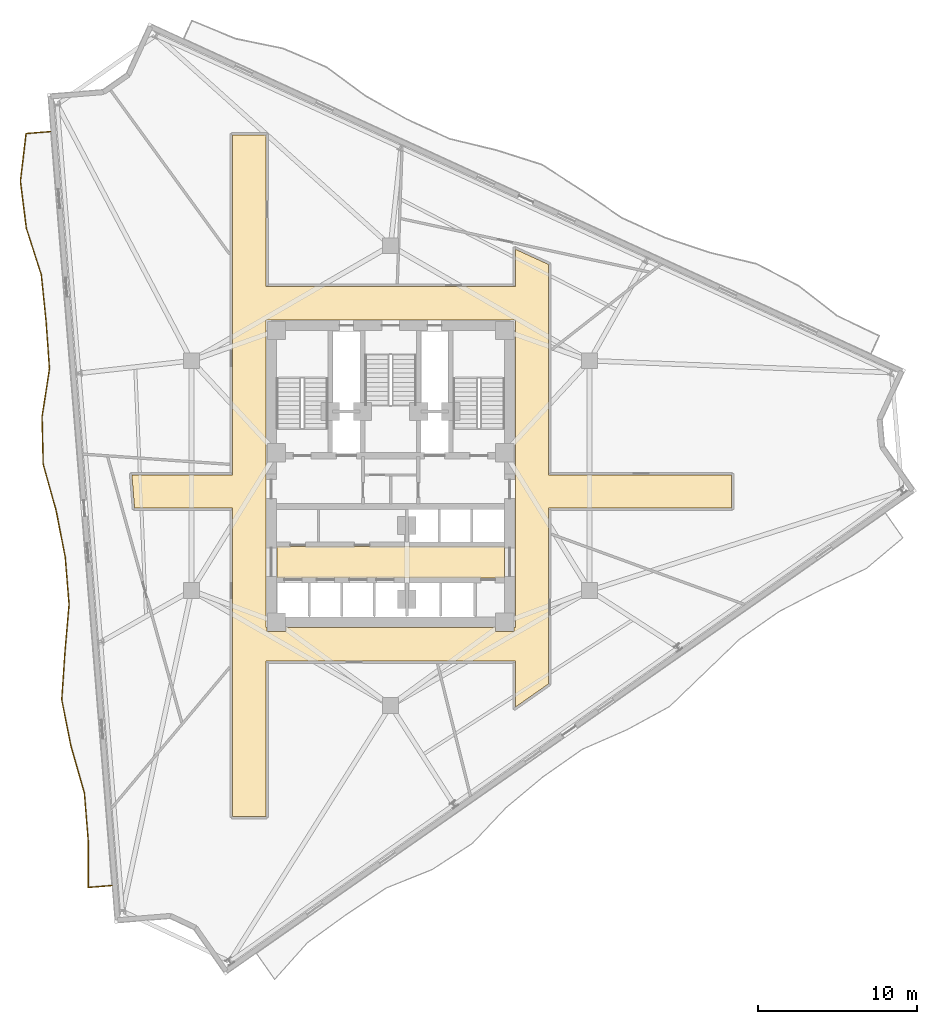
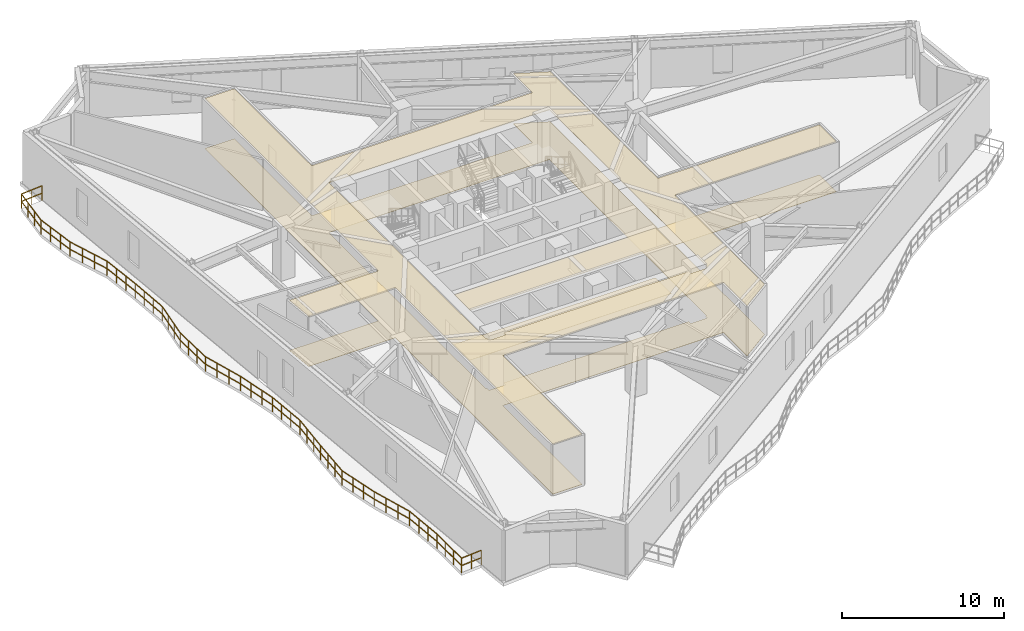
# One storey, part 8 of 11: 4 coverings, 1 railing.
"""IFC4 building model written with IfcOpenShell, lengths in metres."""

from ifc_helpers import new_model, si_unit, direction, frame, origin, origin_2d, place, context, subcontext, project, spatial, polyline, rectangle, outline, extrude, material, layer, layer_set, type_object, element, save


model = new_model("IFC4")

# Units and contexts
model_context = context("Model", 3, precision=1e-05, world=origin(), true_north=direction((0.0, 1.0)))
body_context = subcontext(model_context, "Body", "Model", "MODEL_VIEW")
ifc_project = project(units=[si_unit("LENGTHUNIT", "METRE"), si_unit("AREAUNIT", "SQUARE_METRE"), si_unit("VOLUMEUNIT", "CUBIC_METRE"), si_unit("PLANEANGLEUNIT", "RADIAN"), si_unit("MASSUNIT", "GRAM", prefix="KILO")], contexts=[model_context])

# Site, building, storey
site_placement = place(None, origin())
site = spatial("IfcSite", under=ifc_project, at=site_placement, CompositionType="ELEMENT")
building_placement = place(site_placement, origin())
building = spatial("IfcBuilding", under=site, at=building_placement, Name="Apsidion Concourse Tower", CompositionType="ELEMENT")
storey_placement = place(building_placement, frame((0.0, 0.0, 206.5)))
storey = spatial("IfcBuildingStorey", under=building, at=storey_placement, Name="L48", CompositionType="ELEMENT", Elevation=206.5)

# Coverings
ifc_material_1 = material(Name="Acoustic mineral fibre ceiling")
ifc_layer_1 = layer(ifc_material_1, 0.0400390625)
ifc_layer_set_1 = layer_set([ifc_layer_1], Name="Acoustic mineral fibre ceiling")
covering_type_1 = type_object("IfcCoveringType", Name="COV-CEIL-40", PredefinedType="CEILING", material=ifc_layer_set_1)
covering_1_placement = place(storey_placement, frame((0.0, 0.0, 3.75)))
element("IfcCovering", 1, at=covering_1_placement, inside=storey, type_object=covering_type_1, Name="L48 Acoustic Ceiling Grid 1", PredefinedType="CEILING", context=body_context, shape_type="SweptSolid", body=[
    extrude(outline(polyline([(-7.179931640625, -6.449951171875), (-7.179931640625, -4.47998046875), (7.179931640625, -4.47998046875), (7.179931640625, -6.449951171875), (-7.179931640625, -6.449951171875)])), origin(), (0.0, 0.0, 1.0), 0.0400390625),
])
covering_2_placement = place(storey_placement, frame((0.0, 0.0, 3.75)))
element("IfcCovering", 2, at=covering_2_placement, inside=storey, type_object=covering_type_1, Name="L48 Acoustic Ceiling Grid 2", PredefinedType="CEILING", context=body_context, shape_type="SweptSolid", body=[
    extrude(outline(polyline([(9.969970703125, -13.1357421875), (7.8701171875, -14.606201171875), (7.8701171875, -11.695068359375), (-7.8701171875, -11.695068359375), (-7.8701171875, -21.5), (-9.969970703125, -21.5), (-9.969970703125, -11.695068359375), (-9.969970703125, -2.050048828125), (-16.150634765625, -2.050048828125), (-16.3212890625, 0.050048828125), (-9.969970703125, 0.050048828125), (-9.969970703125, 11.919921875), (-9.969970703125, 21.5), (-7.8701171875, 21.5), (-7.8701171875, 11.919921875), (7.8701171875, 11.919921875), (7.8701171875, 14.282958984375), (9.969970703125, 13.319580078125), (9.969970703125, 11.919921875), (9.969970703125, 0.050048828125), (21.5, 0.050048828125), (21.5, -2.050048828125), (9.969970703125, -2.050048828125), (9.969970703125, -11.695068359375), (9.969970703125, -13.1357421875)]), holes=[polyline([(7.8701171875, -2.050048828125), (7.8701171875, 0.050048828125), (7.8701171875, 9.820068359375), (-7.8701171875, 9.820068359375), (-7.8701171875, 0.050048828125), (-7.8701171875, -2.050048828125), (-7.8701171875, -9.594970703125), (-7.794921875, -9.594970703125), (-7.794921875, -9.824951171875), (-7.794921875, -9.826904296875), (-7.794677734375, -9.828857421875), (-7.794189453125, -9.830810546875), (-7.79345703125, -9.832763671875), (-7.79248046875, -9.83447265625), (-7.79150390625, -9.836181640625), (-7.79052734375, -9.837646484375), (-7.7890625, -9.839111328125), (-7.78759765625, -9.840576171875), (-7.7861328125, -9.841552734375), (-7.784423828125, -9.842529296875), (-7.78271484375, -9.843505859375), (-7.78076171875, -9.843994140625), (-7.77880859375, -9.844482421875), (-7.777099609375, -9.844970703125), (-7.77490234375, -9.844970703125), (-6.625, -9.844970703125), (-6.623046875, -9.844970703125), (-6.62109375, -9.844482421875), (-6.619140625, -9.843994140625), (-6.6171875, -9.843505859375), (-6.615478515625, -9.842529296875), (-6.614013671875, -9.841552734375), (-6.6123046875, -9.840576171875), (-6.61083984375, -9.839111328125), (-6.609619140625, -9.837646484375), (-6.6083984375, -9.836181640625), (-6.607421875, -9.83447265625), (-6.6064453125, -9.832763671875), (-6.60595703125, -9.830810546875), (-6.60546875, -9.828857421875), (-6.60498046875, -9.826904296875), (-6.60498046875, -9.824951171875), (-6.60498046875, -9.594970703125), (6.60498046875, -9.594970703125), (6.60498046875, -9.824951171875), (6.60498046875, -9.826904296875), (6.60546875, -9.828857421875), (6.60595703125, -9.830810546875), (6.6064453125, -9.832763671875), (6.607421875, -9.83447265625), (6.6083984375, -9.836181640625), (6.609619140625, -9.837646484375), (6.61083984375, -9.839111328125), (6.6123046875, -9.840576171875), (6.614013671875, -9.841552734375), (6.615478515625, -9.842529296875), (6.6171875, -9.843505859375), (6.619140625, -9.843994140625), (6.62109375, -9.844482421875), (6.623046875, -9.844970703125), (6.625, -9.844970703125), (7.77490234375, -9.844970703125), (7.777099609375, -9.844970703125), (7.77880859375, -9.844482421875), (7.78076171875, -9.843994140625), (7.78271484375, -9.843505859375), (7.784423828125, -9.842529296875), (7.7861328125, -9.841552734375), (7.78759765625, -9.840576171875), (7.7890625, -9.839111328125), (7.79052734375, -9.837646484375), (7.79150390625, -9.836181640625), (7.79248046875, -9.83447265625), (7.79345703125, -9.832763671875), (7.794189453125, -9.830810546875), (7.794677734375, -9.828857421875), (7.794921875, -9.826904296875), (7.794921875, -9.824951171875), (7.794921875, -9.594970703125), (7.8701171875, -9.594970703125), (7.8701171875, -2.050048828125)])]), origin(), (0.0, 0.0, 1.0), 0.0400390625),
])
ifc_material_2 = material(Name="Honed travertine floor finish", Category="masonry")
ifc_layer_2 = layer(ifc_material_2, 0.02001953125)
ifc_layer_set_2 = layer_set([ifc_layer_2], Name="Honed travertine floor finish")
covering_type_2 = type_object("IfcCoveringType", Name="COV-FLOR-20", PredefinedType="FLOORING", material=ifc_layer_set_2)
covering_3_placement = place(storey_placement, origin())
element("IfcCovering", 3, at=covering_3_placement, inside=storey, type_object=covering_type_2, Name="L48 Honed Travertine Floor Finish 1", PredefinedType="FLOORING", context=body_context, shape_type="SweptSolid", body=[
    extrude(outline(polyline([(-7.179931640625, -6.449951171875), (-7.179931640625, -4.47998046875), (7.179931640625, -4.47998046875), (7.179931640625, -6.449951171875), (-7.179931640625, -6.449951171875)])), origin(), (0.0, 0.0, 1.0), 0.02001953125),
])
covering_4_placement = place(storey_placement, origin())
element("IfcCovering", 4, at=covering_4_placement, inside=storey, type_object=covering_type_2, Name="L48 Honed Travertine Floor Finish 2", PredefinedType="FLOORING", context=body_context, shape_type="SweptSolid", body=[
    extrude(outline(polyline([(9.969970703125, -13.1357421875), (7.8701171875, -14.606201171875), (7.8701171875, -11.695068359375), (-7.8701171875, -11.695068359375), (-7.8701171875, -21.5), (-9.969970703125, -21.5), (-9.969970703125, -11.695068359375), (-9.969970703125, -2.050048828125), (-16.150634765625, -2.050048828125), (-16.3212890625, 0.050048828125), (-9.969970703125, 0.050048828125), (-9.969970703125, 11.919921875), (-9.969970703125, 21.5), (-7.8701171875, 21.5), (-7.8701171875, 11.919921875), (7.8701171875, 11.919921875), (7.8701171875, 14.282958984375), (9.969970703125, 13.319580078125), (9.969970703125, 11.919921875), (9.969970703125, 0.050048828125), (21.5, 0.050048828125), (21.5, -2.050048828125), (9.969970703125, -2.050048828125), (9.969970703125, -11.695068359375), (9.969970703125, -13.1357421875)]), holes=[polyline([(7.8701171875, -2.050048828125), (7.8701171875, 0.050048828125), (7.8701171875, 9.820068359375), (-7.8701171875, 9.820068359375), (-7.8701171875, 0.050048828125), (-7.8701171875, -2.050048828125), (-7.8701171875, -9.594970703125), (-7.794921875, -9.594970703125), (-7.794921875, -9.824951171875), (-7.794921875, -9.826904296875), (-7.794677734375, -9.828857421875), (-7.794189453125, -9.830810546875), (-7.79345703125, -9.832763671875), (-7.79248046875, -9.83447265625), (-7.79150390625, -9.836181640625), (-7.79052734375, -9.837646484375), (-7.7890625, -9.839111328125), (-7.78759765625, -9.840576171875), (-7.7861328125, -9.841552734375), (-7.784423828125, -9.842529296875), (-7.78271484375, -9.843505859375), (-7.78076171875, -9.843994140625), (-7.77880859375, -9.844482421875), (-7.777099609375, -9.844970703125), (-7.77490234375, -9.844970703125), (-6.625, -9.844970703125), (-6.623046875, -9.844970703125), (-6.62109375, -9.844482421875), (-6.619140625, -9.843994140625), (-6.6171875, -9.843505859375), (-6.615478515625, -9.842529296875), (-6.614013671875, -9.841552734375), (-6.6123046875, -9.840576171875), (-6.61083984375, -9.839111328125), (-6.609619140625, -9.837646484375), (-6.6083984375, -9.836181640625), (-6.607421875, -9.83447265625), (-6.6064453125, -9.832763671875), (-6.60595703125, -9.830810546875), (-6.60546875, -9.828857421875), (-6.60498046875, -9.826904296875), (-6.60498046875, -9.824951171875), (-6.60498046875, -9.594970703125), (6.60498046875, -9.594970703125), (6.60498046875, -9.824951171875), (6.60498046875, -9.826904296875), (6.60546875, -9.828857421875), (6.60595703125, -9.830810546875), (6.6064453125, -9.832763671875), (6.607421875, -9.83447265625), (6.6083984375, -9.836181640625), (6.609619140625, -9.837646484375), (6.61083984375, -9.839111328125), (6.6123046875, -9.840576171875), (6.614013671875, -9.841552734375), (6.615478515625, -9.842529296875), (6.6171875, -9.843505859375), (6.619140625, -9.843994140625), (6.62109375, -9.844482421875), (6.623046875, -9.844970703125), (6.625, -9.844970703125), (7.77490234375, -9.844970703125), (7.777099609375, -9.844970703125), (7.77880859375, -9.844482421875), (7.78076171875, -9.843994140625), (7.78271484375, -9.843505859375), (7.784423828125, -9.842529296875), (7.7861328125, -9.841552734375), (7.78759765625, -9.840576171875), (7.7890625, -9.839111328125), (7.79052734375, -9.837646484375), (7.79150390625, -9.836181640625), (7.79248046875, -9.83447265625), (7.79345703125, -9.832763671875), (7.794189453125, -9.830810546875), (7.794677734375, -9.828857421875), (7.794921875, -9.826904296875), (7.794921875, -9.824951171875), (7.794921875, -9.594970703125), (7.8701171875, -9.594970703125), (7.8701171875, -2.050048828125)])]), origin(), (0.0, 0.0, 1.0), 0.02001953125),
])

# Railing
ifc_material_3 = material(Name="Brushed stainless steel 316", Category="steel")
railing_type = type_object("IfcRailingType", Name="RL-BAL-1120", PredefinedType="BALUSTRADE", material=ifc_material_3)
railing_placement = place(storey_placement, frame((-17.59326171875, -25.86328125, 0.0)))
element("IfcRailing", 5, at=railing_placement, inside=storey, type_object=railing_type, Name="L48 Face 1 Rippling Balcony Balustrade", PredefinedType="BALUSTRADE", context=body_context, shape_type="SweptSolid", body=[
    extrude(rectangle(XDim=0.048095703125, YDim=0.048095703125, at=origin_2d()), frame((0.0, 0.0, 1.09619140625), z_axis=(-0.996717551279, -0.080957538077, 0.0), x_axis=(0.080957538077, -0.996717551279, 0.0)), (0.0, 0.0, 1.0), 1.480712890625),
    extrude(rectangle(XDim=0.048095703125, YDim=0.048095703125, at=origin_2d()), frame((0.0, 0.0, 0.5361328125), z_axis=(-0.996717551279, -0.080957538077, 0.0), x_axis=(0.080957538077, -0.996717551279, 0.0)), (0.0, 0.0, 1.0), 1.480712890625),
    extrude(rectangle(XDim=0.048095703125, YDim=0.048095703125, at=origin_2d()), frame((-1.475830078125, -0.119873046875, 1.09619140625), z_axis=(-0.003835141114, 0.999992645819, 0.0), x_axis=(-0.999992645819, -0.003835141114, 0.0)), (0.0, 0.0, 1.0), 2.991943359375),
    extrude(rectangle(XDim=0.048095703125, YDim=0.048095703125, at=origin_2d()), frame((-1.475830078125, -0.119873046875, 0.5361328125), z_axis=(-0.003835141114, 0.999992645819, 0.0), x_axis=(-0.999992645819, -0.003835141114, 0.0)), (0.0, 0.0, 1.0), 2.991943359375),
    extrude(rectangle(XDim=0.048095703125, YDim=0.048095703125, at=origin_2d()), frame((-1.4873046875, 2.8720703125, 1.09619140625), z_axis=(-0.080945526608, 0.996718526828, 0.0), x_axis=(-0.996718526828, -0.080945526608, 0.0)), (0.0, 0.0, 1.0), 2.98291015625),
    extrude(rectangle(XDim=0.048095703125, YDim=0.048095703125, at=origin_2d()), frame((-1.4873046875, 2.8720703125, 0.5361328125), z_axis=(-0.080945526608, 0.996718526828, 0.0), x_axis=(-0.996718526828, -0.080945526608, 0.0)), (0.0, 0.0, 1.0), 2.98291015625),
    extrude(rectangle(XDim=0.048095703125, YDim=0.048095703125, at=origin_2d()), frame((-1.728759765625, 5.84521484375, 1.09619140625), z_axis=(-0.275865490272, 0.961196250137, 0.0), x_axis=(-0.961196250137, -0.275865490272, 0.0)), (0.0, 0.0, 1.0), 3.042724609375),
    extrude(rectangle(XDim=0.048095703125, YDim=0.048095703125, at=origin_2d()), frame((-1.728759765625, 5.84521484375, 0.5361328125), z_axis=(-0.275865490272, 0.961196250137, 0.0), x_axis=(-0.961196250137, -0.275865490272, 0.0)), (0.0, 0.0, 1.0), 3.042724609375),
    extrude(rectangle(XDim=0.048095703125, YDim=0.048095703125, at=origin_2d()), frame((-2.568115234375, 8.769775390625, 1.09619140625), z_axis=(-0.195819117869, 0.980640032365, 0.0), x_axis=(-0.980640032365, -0.195819117869, 0.0)), (0.0, 0.0, 1.0), 3.00341796875),
    extrude(rectangle(XDim=0.048095703125, YDim=0.048095703125, at=origin_2d()), frame((-2.568115234375, 8.769775390625, 0.5361328125), z_axis=(-0.195819117869, 0.980640032365, 0.0), x_axis=(-0.980640032365, -0.195819117869, 0.0)), (0.0, 0.0, 1.0), 3.00341796875),
    extrude(rectangle(XDim=0.048095703125, YDim=0.048095703125, at=origin_2d()), frame((-3.15625, 11.715087890625, 1.09619140625), z_axis=(0.066626473347, 0.997777987856, 0.0), x_axis=(-0.997777987856, 0.066626473347, 0.0)), (0.0, 0.0, 1.0), 3.015625),
    extrude(rectangle(XDim=0.048095703125, YDim=0.048095703125, at=origin_2d()), frame((-3.15625, 11.715087890625, 0.5361328125), z_axis=(0.066626473347, 0.997777987856, 0.0), x_axis=(-0.997777987856, 0.066626473347, 0.0)), (0.0, 0.0, 1.0), 3.015625),
    extrude(rectangle(XDim=0.048095703125, YDim=0.048095703125, at=origin_2d()), frame((-2.955322265625, 14.72412109375, 1.09619140625), z_axis=(0.086270916382, 0.996271714437, 0.0), x_axis=(-0.996271714437, 0.086270916382, 0.0)), (0.0, 0.0, 1.0), 3.025146484375),
    extrude(rectangle(XDim=0.048095703125, YDim=0.048095703125, at=origin_2d()), frame((-2.955322265625, 14.72412109375, 0.5361328125), z_axis=(0.086270916382, 0.996271714437, 0.0), x_axis=(-0.996271714437, 0.086270916382, 0.0)), (0.0, 0.0, 1.0), 3.025146484375),
    extrude(rectangle(XDim=0.048095703125, YDim=0.048095703125, at=origin_2d()), frame((-2.6943359375, 17.738037109375, 1.09619140625), z_axis=(-0.080945526608, 0.996718526828, 0.0), x_axis=(-0.996718526828, -0.080945526608, 0.0)), (0.0, 0.0, 1.0), 2.98291015625),
    extrude(rectangle(XDim=0.048095703125, YDim=0.048095703125, at=origin_2d()), frame((-2.6943359375, 17.738037109375, 0.5361328125), z_axis=(-0.080945526608, 0.996718526828, 0.0), x_axis=(-0.996718526828, -0.080945526608, 0.0)), (0.0, 0.0, 1.0), 2.98291015625),
    extrude(rectangle(XDim=0.048095703125, YDim=0.048095703125, at=origin_2d()), frame((-2.935791015625, 20.711181640625, 1.09619140625), z_axis=(-0.191531379251, 0.981486490362, 0.0), x_axis=(-0.981486490362, -0.191531379251, 0.0)), (0.0, 0.0, 1.0), 3.001953125),
    extrude(rectangle(XDim=0.048095703125, YDim=0.048095703125, at=origin_2d()), frame((-2.935791015625, 20.711181640625, 0.5361328125), z_axis=(-0.191531379251, 0.981486490362, 0.0), x_axis=(-0.981486490362, -0.191531379251, 0.0)), (0.0, 0.0, 1.0), 3.001953125),
    extrude(rectangle(XDim=0.048095703125, YDim=0.048095703125, at=origin_2d()), frame((-3.5107421875, 23.657470703125, 1.09619140625), z_axis=(-0.268708813645, 0.963221456089, 0.0), x_axis=(-0.963221456089, -0.268708813645, 0.0)), (0.0, 0.0, 1.0), 3.038330078125),
    extrude(rectangle(XDim=0.048095703125, YDim=0.048095703125, at=origin_2d()), frame((-3.5107421875, 23.657470703125, 0.5361328125), z_axis=(-0.268708813645, 0.963221456089, 0.0), x_axis=(-0.963221456089, -0.268708813645, 0.0)), (0.0, 0.0, 1.0), 3.038330078125),
    extrude(rectangle(XDim=0.048095703125, YDim=0.048095703125, at=origin_2d()), frame((-4.3271484375, 26.583984375, 1.09619140625), z_axis=(-0.023861113509, 0.999715283099, 0.0), x_axis=(-0.999715283099, -0.023861113509, 0.0)), (0.0, 0.0, 1.0), 2.987548828125),
    extrude(rectangle(XDim=0.048095703125, YDim=0.048095703125, at=origin_2d()), frame((-4.3271484375, 26.583984375, 0.5361328125), z_axis=(-0.023861113509, 0.999715283099, 0.0), x_axis=(-0.999715283099, -0.023861113509, 0.0)), (0.0, 0.0, 1.0), 2.987548828125),
    extrude(rectangle(XDim=0.048095703125, YDim=0.048095703125, at=origin_2d()), frame((-4.3984375, 29.57080078125, 1.09619140625), z_axis=(0.151913591804, 0.988393778119, 0.0), x_axis=(-0.988393778119, 0.151913591804, 0.0)), (0.0, 0.0, 1.0), 3.06640625),
    extrude(rectangle(XDim=0.048095703125, YDim=0.048095703125, at=origin_2d()), frame((-4.3984375, 29.57080078125, 0.5361328125), z_axis=(0.151913591804, 0.988393778119, 0.0), x_axis=(-0.988393778119, 0.151913591804, 0.0)), (0.0, 0.0, 1.0), 3.06640625),
    extrude(rectangle(XDim=0.048095703125, YDim=0.048095703125, at=origin_2d()), frame((-3.9326171875, 32.6015625, 1.09619140625), z_axis=(-0.070461888634, 0.997514472201, 0.0), x_axis=(-0.997514472201, -0.070461888634, 0.0)), (0.0, 0.0, 1.0), 2.983154296875),
    extrude(rectangle(XDim=0.048095703125, YDim=0.048095703125, at=origin_2d()), frame((-3.9326171875, 32.6015625, 0.5361328125), z_axis=(-0.070461888634, 0.997514472201, 0.0), x_axis=(-0.997514472201, -0.070461888634, 0.0)), (0.0, 0.0, 1.0), 2.983154296875),
    extrude(rectangle(XDim=0.048095703125, YDim=0.048095703125, at=origin_2d()), frame((-4.142822265625, 35.577392578125, 1.09619140625), z_axis=(-0.102039247027, 0.994780373784, 0.0), x_axis=(-0.994780373784, -0.102039247027, 0.0)), (0.0, 0.0, 1.0), 2.983642578125),
    extrude(rectangle(XDim=0.048095703125, YDim=0.048095703125, at=origin_2d()), frame((-4.142822265625, 35.577392578125, 0.5361328125), z_axis=(-0.102039247027, 0.994780373784, 0.0), x_axis=(-0.994780373784, -0.102039247027, 0.0)), (0.0, 0.0, 1.0), 2.983642578125),
    extrude(rectangle(XDim=0.048095703125, YDim=0.048095703125, at=origin_2d()), frame((-4.447265625, 38.54541015625, 1.09619140625), z_axis=(-0.307275106398, 0.95162072749, 0.0), x_axis=(-0.95162072749, -0.307275106398, 0.0)), (0.0, 0.0, 1.0), 3.064453125),
    extrude(rectangle(XDim=0.048095703125, YDim=0.048095703125, at=origin_2d()), frame((-4.447265625, 38.54541015625, 0.5361328125), z_axis=(-0.307275106398, 0.95162072749, 0.0), x_axis=(-0.95162072749, -0.307275106398, 0.0)), (0.0, 0.0, 1.0), 3.064453125),
    extrude(rectangle(XDim=0.048095703125, YDim=0.048095703125, at=origin_2d()), frame((-5.388916015625, 41.461669921875, 1.09619140625), z_axis=(-0.125262356663, 0.992123652577, 0.0), x_axis=(-0.992123652577, -0.125262356663, 0.0)), (0.0, 0.0, 1.0), 2.98583984375),
    extrude(rectangle(XDim=0.048095703125, YDim=0.048095703125, at=origin_2d()), frame((-5.388916015625, 41.461669921875, 0.5361328125), z_axis=(-0.125262356663, 0.992123652577, 0.0), x_axis=(-0.992123652577, -0.125262356663, 0.0)), (0.0, 0.0, 1.0), 2.98583984375),
    extrude(rectangle(XDim=0.048095703125, YDim=0.048095703125, at=origin_2d()), frame((-5.762939453125, 44.424072265625, 1.09619140625), z_axis=(0.116831936237, 0.993151699729, 0.0), x_axis=(-0.993151699729, 0.116831936237, 0.0)), (0.0, 0.0, 1.0), 3.04248046875),
    extrude(rectangle(XDim=0.048095703125, YDim=0.048095703125, at=origin_2d()), frame((-5.762939453125, 44.424072265625, 0.5361328125), z_axis=(0.116831936237, 0.993151699729, 0.0), x_axis=(-0.993151699729, 0.116831936237, 0.0)), (0.0, 0.0, 1.0), 3.04248046875),
    extrude(rectangle(XDim=0.048095703125, YDim=0.048095703125, at=origin_2d()), frame((-5.407470703125, 47.44580078125, 1.09619140625), z_axis=(0.996717378871, 0.080959660673, 0.0), x_axis=(-0.080959660673, 0.996717378871, 0.0)), (0.0, 0.0, 1.0), 1.550048828125),
    extrude(rectangle(XDim=0.048095703125, YDim=0.048095703125, at=origin_2d()), frame((-5.407470703125, 47.44580078125, 0.5361328125), z_axis=(0.996717378871, 0.080959660673, 0.0), x_axis=(-0.080959660673, 0.996717378871, 0.0)), (0.0, 0.0, 1.0), 1.550048828125),
    extrude(rectangle(XDim=0.0419921875, YDim=0.0419921875, at=origin_2d()), origin(), (0.0, 0.0, 1.0), 1.072021484375),
    extrude(rectangle(XDim=0.0419921875, YDim=0.0419921875, at=origin_2d()), frame((-0.73779296875, -0.06005859375, 0.0)), (0.0, 0.0, 1.0), 1.072021484375),
    extrude(rectangle(XDim=0.0419921875, YDim=0.0419921875, at=origin_2d()), frame((-1.475830078125, -0.119873046875, 0.0)), (0.0, 0.0, 1.0), 1.072021484375),
    extrude(rectangle(XDim=0.0419921875, YDim=0.0419921875, at=origin_2d()), frame((-1.479736328125, 0.87744140625, 0.0)), (0.0, 0.0, 1.0), 1.072021484375),
    extrude(rectangle(XDim=0.0419921875, YDim=0.0419921875, at=origin_2d()), frame((-1.4833984375, 1.874755859375, 0.0)), (0.0, 0.0, 1.0), 1.072021484375),
    extrude(rectangle(XDim=0.0419921875, YDim=0.0419921875, at=origin_2d()), frame((-1.4873046875, 2.8720703125, 0.0)), (0.0, 0.0, 1.0), 1.072021484375),
    extrude(rectangle(XDim=0.0419921875, YDim=0.0419921875, at=origin_2d()), frame((-1.56787109375, 3.863037109375, 0.0)), (0.0, 0.0, 1.0), 1.072021484375),
    extrude(rectangle(XDim=0.0419921875, YDim=0.0419921875, at=origin_2d()), frame((-1.648193359375, 4.854248046875, 0.0)), (0.0, 0.0, 1.0), 1.072021484375),
    extrude(rectangle(XDim=0.0419921875, YDim=0.0419921875, at=origin_2d()), frame((-1.728759765625, 5.84521484375, 0.0)), (0.0, 0.0, 1.0), 1.072021484375),
    extrude(rectangle(XDim=0.0419921875, YDim=0.0419921875, at=origin_2d()), frame((-2.008544921875, 6.820068359375, 0.0)), (0.0, 0.0, 1.0), 1.072021484375),
    extrude(rectangle(XDim=0.0419921875, YDim=0.0419921875, at=origin_2d()), frame((-2.288330078125, 7.794921875, 0.0)), (0.0, 0.0, 1.0), 1.072021484375),
    extrude(rectangle(XDim=0.0419921875, YDim=0.0419921875, at=origin_2d()), frame((-2.568115234375, 8.769775390625, 0.0)), (0.0, 0.0, 1.0), 1.072021484375),
    extrude(rectangle(XDim=0.0419921875, YDim=0.0419921875, at=origin_2d()), frame((-2.76416015625, 9.75146484375, 0.0)), (0.0, 0.0, 1.0), 1.072021484375),
    extrude(rectangle(XDim=0.0419921875, YDim=0.0419921875, at=origin_2d()), frame((-2.960205078125, 10.7333984375, 0.0)), (0.0, 0.0, 1.0), 1.072021484375),
    extrude(rectangle(XDim=0.0419921875, YDim=0.0419921875, at=origin_2d()), frame((-3.15625, 11.715087890625, 0.0)), (0.0, 0.0, 1.0), 1.072021484375),
    extrude(rectangle(XDim=0.0419921875, YDim=0.0419921875, at=origin_2d()), frame((-3.08935546875, 12.718017578125, 0.0)), (0.0, 0.0, 1.0), 1.072021484375),
    extrude(rectangle(XDim=0.0419921875, YDim=0.0419921875, at=origin_2d()), frame((-3.022216796875, 13.72119140625, 0.0)), (0.0, 0.0, 1.0), 1.072021484375),
    extrude(rectangle(XDim=0.0419921875, YDim=0.0419921875, at=origin_2d()), frame((-2.955322265625, 14.72412109375, 0.0)), (0.0, 0.0, 1.0), 1.072021484375),
    extrude(rectangle(XDim=0.0419921875, YDim=0.0419921875, at=origin_2d()), frame((-2.868408203125, 15.728759765625, 0.0)), (0.0, 0.0, 1.0), 1.072021484375),
    extrude(rectangle(XDim=0.0419921875, YDim=0.0419921875, at=origin_2d()), frame((-2.78125, 16.7333984375, 0.0)), (0.0, 0.0, 1.0), 1.072021484375),
    extrude(rectangle(XDim=0.0419921875, YDim=0.0419921875, at=origin_2d()), frame((-2.6943359375, 17.738037109375, 0.0)), (0.0, 0.0, 1.0), 1.072021484375),
    extrude(rectangle(XDim=0.0419921875, YDim=0.0419921875, at=origin_2d()), frame((-2.77490234375, 18.72900390625, 0.0)), (0.0, 0.0, 1.0), 1.072021484375),
    extrude(rectangle(XDim=0.0419921875, YDim=0.0419921875, at=origin_2d()), frame((-2.855224609375, 19.72021484375, 0.0)), (0.0, 0.0, 1.0), 1.072021484375),
    extrude(rectangle(XDim=0.0419921875, YDim=0.0419921875, at=origin_2d()), frame((-2.935791015625, 20.711181640625, 0.0)), (0.0, 0.0, 1.0), 1.072021484375),
    extrude(rectangle(XDim=0.0419921875, YDim=0.0419921875, at=origin_2d()), frame((-3.12744140625, 21.693359375, 0.0)), (0.0, 0.0, 1.0), 1.072021484375),
    extrude(rectangle(XDim=0.0419921875, YDim=0.0419921875, at=origin_2d()), frame((-3.319091796875, 22.67529296875, 0.0)), (0.0, 0.0, 1.0), 1.072021484375),
    extrude(rectangle(XDim=0.0419921875, YDim=0.0419921875, at=origin_2d()), frame((-3.5107421875, 23.657470703125, 0.0)), (0.0, 0.0, 1.0), 1.072021484375),
    extrude(rectangle(XDim=0.0419921875, YDim=0.0419921875, at=origin_2d()), frame((-3.782958984375, 24.633056640625, 0.0)), (0.0, 0.0, 1.0), 1.072021484375),
    extrude(rectangle(XDim=0.0419921875, YDim=0.0419921875, at=origin_2d()), frame((-4.054931640625, 25.6083984375, 0.0)), (0.0, 0.0, 1.0), 1.072021484375),
    extrude(rectangle(XDim=0.0419921875, YDim=0.0419921875, at=origin_2d()), frame((-4.3271484375, 26.583984375, 0.0)), (0.0, 0.0, 1.0), 1.072021484375),
    extrude(rectangle(XDim=0.0419921875, YDim=0.0419921875, at=origin_2d()), frame((-4.350830078125, 27.57958984375, 0.0)), (0.0, 0.0, 1.0), 1.072021484375),
    extrude(rectangle(XDim=0.0419921875, YDim=0.0419921875, at=origin_2d()), frame((-4.374755859375, 28.5751953125, 0.0)), (0.0, 0.0, 1.0), 1.072021484375),
    extrude(rectangle(XDim=0.0419921875, YDim=0.0419921875, at=origin_2d()), frame((-4.3984375, 29.57080078125, 0.0)), (0.0, 0.0, 1.0), 1.072021484375),
    extrude(rectangle(XDim=0.0419921875, YDim=0.0419921875, at=origin_2d()), frame((-4.2431640625, 30.5810546875, 0.0)), (0.0, 0.0, 1.0), 1.072021484375),
    extrude(rectangle(XDim=0.0419921875, YDim=0.0419921875, at=origin_2d()), frame((-4.087890625, 31.59130859375, 0.0)), (0.0, 0.0, 1.0), 1.072021484375),
    extrude(rectangle(XDim=0.0419921875, YDim=0.0419921875, at=origin_2d()), frame((-3.9326171875, 32.6015625, 0.0)), (0.0, 0.0, 1.0), 1.072021484375),
    extrude(rectangle(XDim=0.0419921875, YDim=0.0419921875, at=origin_2d()), frame((-4.002685546875, 33.593505859375, 0.0)), (0.0, 0.0, 1.0), 1.072021484375),
    extrude(rectangle(XDim=0.0419921875, YDim=0.0419921875, at=origin_2d()), frame((-4.07275390625, 34.58544921875, 0.0)), (0.0, 0.0, 1.0), 1.072021484375),
    extrude(rectangle(XDim=0.0419921875, YDim=0.0419921875, at=origin_2d()), frame((-4.142822265625, 35.577392578125, 0.0)), (0.0, 0.0, 1.0), 1.072021484375),
    extrude(rectangle(XDim=0.0419921875, YDim=0.0419921875, at=origin_2d()), frame((-4.244384765625, 36.566650390625, 0.0)), (0.0, 0.0, 1.0), 1.072021484375),
    extrude(rectangle(XDim=0.0419921875, YDim=0.0419921875, at=origin_2d()), frame((-4.345703125, 37.55615234375, 0.0)), (0.0, 0.0, 1.0), 1.072021484375),
    extrude(rectangle(XDim=0.0419921875, YDim=0.0419921875, at=origin_2d()), frame((-4.447265625, 38.54541015625, 0.0)), (0.0, 0.0, 1.0), 1.072021484375),
    extrude(rectangle(XDim=0.0419921875, YDim=0.0419921875, at=origin_2d()), frame((-4.76123046875, 39.517578125, 0.0)), (0.0, 0.0, 1.0), 1.072021484375),
    extrude(rectangle(XDim=0.0419921875, YDim=0.0419921875, at=origin_2d()), frame((-5.074951171875, 40.489501953125, 0.0)), (0.0, 0.0, 1.0), 1.072021484375),
    extrude(rectangle(XDim=0.0419921875, YDim=0.0419921875, at=origin_2d()), frame((-5.388916015625, 41.461669921875, 0.0)), (0.0, 0.0, 1.0), 1.072021484375),
    extrude(rectangle(XDim=0.0419921875, YDim=0.0419921875, at=origin_2d()), frame((-5.513671875, 42.44921875, 0.0)), (0.0, 0.0, 1.0), 1.072021484375),
    extrude(rectangle(XDim=0.0419921875, YDim=0.0419921875, at=origin_2d()), frame((-5.63818359375, 43.4365234375, 0.0)), (0.0, 0.0, 1.0), 1.072021484375),
    extrude(rectangle(XDim=0.0419921875, YDim=0.0419921875, at=origin_2d()), frame((-5.762939453125, 44.424072265625, 0.0)), (0.0, 0.0, 1.0), 1.072021484375),
    extrude(rectangle(XDim=0.0419921875, YDim=0.0419921875, at=origin_2d()), frame((-5.64453125, 45.431396484375, 0.0)), (0.0, 0.0, 1.0), 1.072021484375),
    extrude(rectangle(XDim=0.0419921875, YDim=0.0419921875, at=origin_2d()), frame((-5.52587890625, 46.4384765625, 0.0)), (0.0, 0.0, 1.0), 1.072021484375),
    extrude(rectangle(XDim=0.0419921875, YDim=0.0419921875, at=origin_2d()), frame((-5.407470703125, 47.44580078125, 0.0)), (0.0, 0.0, 1.0), 1.072021484375),
    extrude(rectangle(XDim=0.0419921875, YDim=0.0419921875, at=origin_2d()), frame((-4.635009765625, 47.508544921875, 0.0)), (0.0, 0.0, 1.0), 1.072021484375),
    extrude(rectangle(XDim=0.0419921875, YDim=0.0419921875, at=origin_2d()), frame((-3.862548828125, 47.5712890625, 0.0)), (0.0, 0.0, 1.0), 1.072021484375),
])

save(model, "model.ifc")
